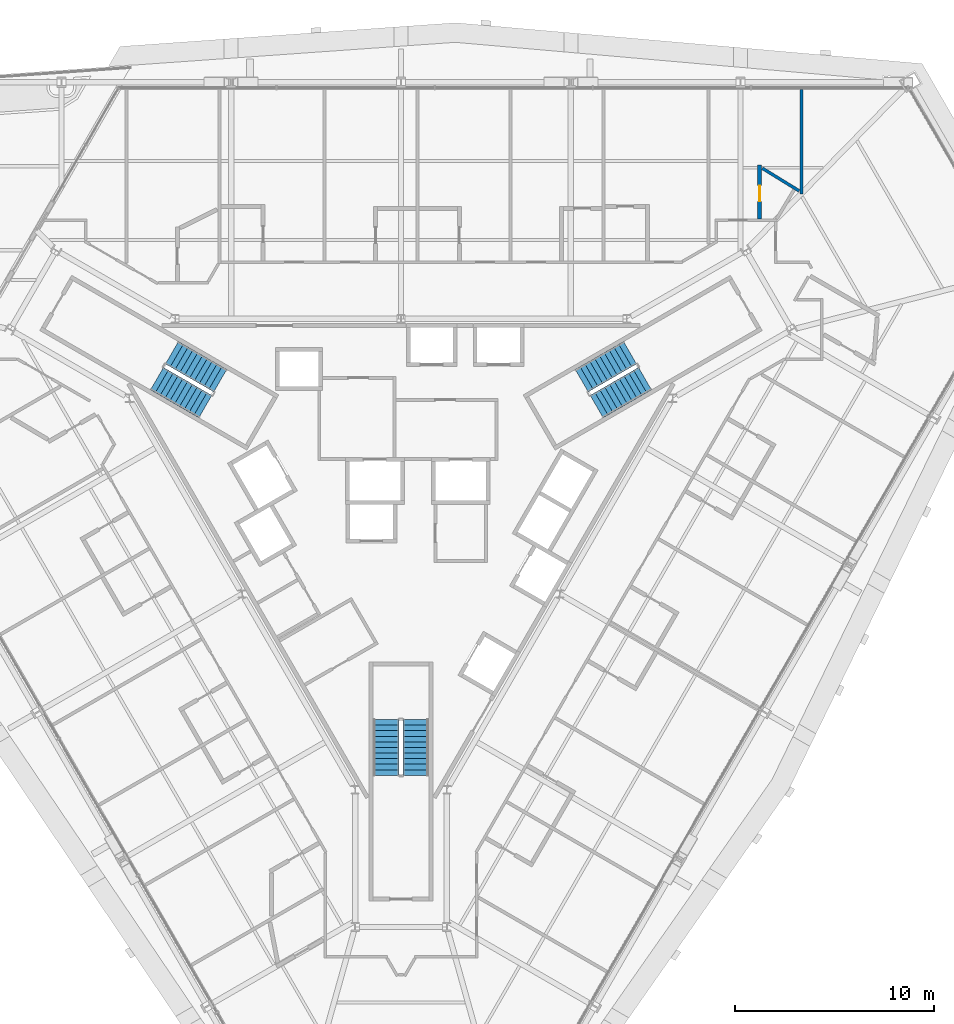
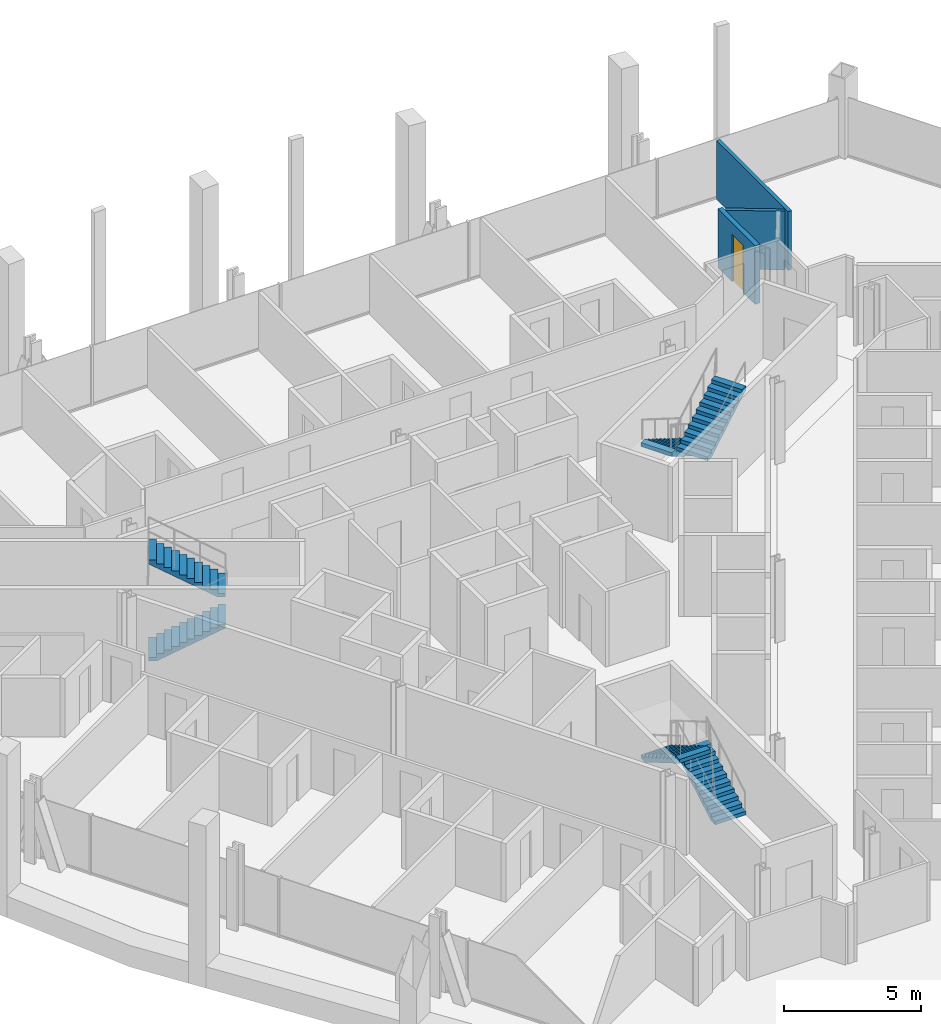
# One storey, part 16 of 19: 6 stair flights, 3 walls, 1 door, 1 opening, 3 elements without a shape of their own.
"""IFC4 building model written with IfcOpenShell, lengths in metres."""

from ifc_helpers import new_model, si_unit, direction, frame, frame_2d, origin, place, context, subcontext, project, spatial, polyline, rectangle, outline, extrude, material, layer, layer_set, type_object, element, fill, aggregate, save


model = new_model("IFC4")

# Units and contexts
model_context = context("Model", 3, precision=1e-05, world=origin(), true_north=direction((0.0, 1.0)))
body_context = subcontext(model_context, "Body", "Model", "MODEL_VIEW")
ifc_project = project(units=[si_unit("LENGTHUNIT", "METRE"), si_unit("AREAUNIT", "SQUARE_METRE"), si_unit("VOLUMEUNIT", "CUBIC_METRE"), si_unit("PLANEANGLEUNIT", "RADIAN"), si_unit("MASSUNIT", "GRAM", prefix="KILO")], contexts=[model_context])

# Site, building, storey
site_placement = place(None, origin())
site = spatial("IfcSite", under=ifc_project, at=site_placement, CompositionType="ELEMENT")
building_placement = place(site_placement, origin())
building = spatial("IfcBuilding", under=site, at=building_placement, Name="Verrane Prism Tower", CompositionType="ELEMENT")
storey_placement = place(building_placement, frame((0.0, 0.0, 58.39990234375)))
storey = spatial("IfcBuildingStorey", under=building, at=storey_placement, Name="L12", CompositionType="ELEMENT", Elevation=58.39990234375)

# Walls
ifc_material_1 = material(Name="Gypsum board partition", Category="other")
ifc_layer_1 = layer(ifc_material_1, 0.14990234375)
ifc_layer_set_1 = layer_set([ifc_layer_1], Name="PW-150 demising wall 1 h")
wall_type_1 = type_object("IfcWallType", Name="PW-150 demising wall 1 h", PredefinedType="PARTITIONING", material=ifc_layer_set_1)
wall_1_placement = place(storey_placement, frame((18.125244140625, 16.753173828125, 0.0), z_axis=(0.0, 0.0, 1.0), x_axis=(0.851893865078, -0.523714466711, 0.0)))
element("IfcWall", 1, at=wall_1_placement, inside=storey, type_object=wall_type_1, Name="Demising wall 084", PredefinedType="PARTITIONING", context=body_context, shape_type="SweptSolid", body=[
    extrude(rectangle(XDim=2.169921875, YDim=0.14990234375, at=frame_2d((1.0849609375, 0.0))), origin(), (0.0, 0.0, 1.0), 2.613037109375),
])
wall_2_placement = place(storey_placement, frame((20.089111328125, 15.470947265625, 0.0), z_axis=(0.0, 0.0, 1.0), x_axis=(0.0, 1.0, 0.0)))
element("IfcWall", 2, at=wall_2_placement, inside=storey, type_object=wall_type_1, Name="Demising wall 092", PredefinedType="PARTITIONING", context=body_context, shape_type="SweptSolid", body=[
    extrude(rectangle(XDim=5.22412109375, YDim=0.14990234375, at=frame_2d((2.612060546875, 0.0))), origin(), (0.0, 0.0, 1.0), 2.613037109375),
])

# Wall, opening, door
ifc_material_2 = material(Name="Gypsum board partition", Category="other")
ifc_layer_2 = layer(ifc_material_2, 0.199951171875)
ifc_layer_set_2 = layer_set([ifc_layer_2], Name="PW-200 plumbing wall")
wall_type_2 = type_object("IfcWallType", Name="PW-200 plumbing wall", PredefinedType="PARTITIONING", material=ifc_layer_set_2)
wall_3_placement = place(storey_placement, frame((17.989013671875, 16.912109375, 0.0), z_axis=(0.0, 0.0, 1.0), x_axis=(0.0, -1.0, 0.0)))
wall_3 = element("IfcWall", 3, at=wall_3_placement, inside=storey, type_object=wall_type_2, Name="Plumbing wall 083", PredefinedType="PARTITIONING", context=body_context, shape_type="SweptSolid", body=[
    extrude(rectangle(XDim=2.712646484375, YDim=0.199951171875, at=frame_2d((1.3564453125, 0.0))), origin(), (0.0, 0.0, 1.0), 2.613037109375),
])
opening_placement = place(wall_3_placement, frame((1.02490234375, 0.0, 0.0)))
opening = element("IfcOpeningElement", 4, at=opening_placement, cuts=wall_3, Name="Opening D12002", PredefinedType="OPENING", context=body_context, shape_type="SweptSolid", body=[
    extrude(rectangle(XDim=0.800048828125, YDim=2.10009765625, at=frame_2d((0.39990234375, 1.050048828125))), frame((0.0, 0.10986328125, 0.0), z_axis=(0.0, -1.0, 0.0), x_axis=(1.0, 0.0, 0.0)), (0.0, 0.0, 1.0), 0.219970703125),
])
ifc_material_3 = material(Name="Timber veneered door leaf", Category="wood")
door_type = type_object("IfcDoorType", Name="DR-800x2100 single leaf bath", OperationType="NOTDEFINED", PredefinedType="DOOR", material=ifc_material_3)
door_placement = place(opening_placement, origin())
door = element("IfcDoor", 5, at=door_placement, inside=storey, type_object=door_type, Name="En-Suite door", OperationType="SINGLE_SWING_RIGHT", OverallHeight=2.10009765625, OverallWidth=0.800048828125, PredefinedType="DOOR", context=body_context, shape_type="SweptSolid", body=[
    extrude(rectangle(XDim=0.800048828125, YDim=2.10009765625, at=frame_2d((0.39990234375, 1.050048828125))), frame((0.0, 0.02490234375, 0.0), z_axis=(0.0, -1.0, 0.0), x_axis=(1.0, 0.0, 0.0)), (0.0, 0.0, 1.0), 0.050048828125),
])
fill(opening, door)

# Stair, stair flights
ifc_material_4 = material(Name="Concrete C40/50", Category="concrete")
stair_type = type_object("IfcStairType", Name="Exit stair 1300 dog-leg precast concrete C40/50", PredefinedType="HALF_TURN_STAIR", material=ifc_material_4)
stair_1_placement = place(storey_placement, origin())
stair_1 = element("IfcStair", 6, at=stair_1_placement, inside=storey, type_object=stair_type, Name="Stair 1 L12", PredefinedType="HALF_TURN_STAIR")
ifc_material_5 = material(Name="Concrete C40/50", Category="concrete")
stair_flight_type = type_object("IfcStairFlightType", Name="Stair flight 1300 precast concrete C40/50", PredefinedType="STRAIGHT", material=ifc_material_5)
stair_flight_1_placement = place(storey_placement, frame((11.489501953125, 7.49951171875, 0.0), z_axis=(0.0, 0.0, 1.0), x_axis=(-0.866025403784, -0.5, 0.0)))
stair_flight_1 = element("IfcStairFlight", 7, at=stair_flight_1_placement, type_object=stair_flight_type, Name="Stair 1 flight 1", NumberOfRisers=11, NumberOfTreads=10, PredefinedType="STRAIGHT", RiserHeight=0.163636364, TreadLength=0.28, context=body_context, shape_type="SweptSolid", body=[
    extrude(outline(polyline([(0.0, 0.0), (0.0, 0.16357421875), (0.280029296875, 0.16357421875), (0.280029296875, 0.327392578125), (0.56005859375, 0.327392578125), (0.56005859375, 0.490966796875), (0.840087890625, 0.490966796875), (0.840087890625, 0.654541015625), (1.1201171875, 0.654541015625), (1.1201171875, 0.818115234375), (1.39990234375, 0.818115234375), (1.39990234375, 0.98193359375), (1.679931640625, 0.98193359375), (1.679931640625, 1.1455078125), (1.9599609375, 1.1455078125), (1.9599609375, 1.30908203125), (2.239990234375, 1.30908203125), (2.239990234375, 1.47265625), (2.52001953125, 1.47265625), (2.52001953125, 1.636474609375), (2.800048828125, 1.636474609375), (2.800048828125, 1.800048828125), (2.800048828125, 1.462646484375), (0.297119140625, 0.0), (0.0, 0.0)])), frame((0.0, 0.64990234375, 0.0), z_axis=(0.0, -1.0, 0.0), x_axis=(1.0, 0.0, 0.0)), (0.0, 0.0, 1.0), 1.300048828125),
])
stair_flight_2_placement = place(storey_placement, frame((9.814697265625, 4.800537109375, 1.800048828125), z_axis=(0.0, 0.0, 1.0), x_axis=(0.866025403784, 0.5, 0.0)))
stair_flight_2 = element("IfcStairFlight", 8, at=stair_flight_2_placement, type_object=stair_flight_type, Name="Stair 1 flight 2", NumberOfRisers=11, NumberOfTreads=10, PredefinedType="STRAIGHT", RiserHeight=0.163636364, TreadLength=0.28, context=body_context, shape_type="SweptSolid", body=[
    extrude(outline(polyline([(0.0, 0.0), (0.0, 0.16357421875), (0.280029296875, 0.16357421875), (0.280029296875, 0.327392578125), (0.56005859375, 0.327392578125), (0.56005859375, 0.490966796875), (0.840087890625, 0.490966796875), (0.840087890625, 0.654541015625), (1.1201171875, 0.654541015625), (1.1201171875, 0.818115234375), (1.39990234375, 0.818115234375), (1.39990234375, 0.98193359375), (1.679931640625, 0.98193359375), (1.679931640625, 1.1455078125), (1.9599609375, 1.1455078125), (1.9599609375, 1.30908203125), (2.239990234375, 1.30908203125), (2.239990234375, 1.47265625), (2.52001953125, 1.47265625), (2.52001953125, 1.636474609375), (2.800048828125, 1.636474609375), (2.800048828125, 1.800048828125), (2.800048828125, 1.462646484375), (0.297119140625, 0.0), (0.0, 0.0)])), frame((0.0, 0.64990234375, 0.0), z_axis=(0.0, -1.0, 0.0), x_axis=(1.0, 0.0, 0.0)), (0.0, 0.0, 1.0), 1.300048828125),
])
aggregate(stair_1, [stair_flight_1, stair_flight_2])

stair_2_placement = place(storey_placement, origin())
stair_2 = element("IfcStair", 9, at=stair_2_placement, inside=storey, type_object=stair_type, Name="Stair 2 L12", PredefinedType="HALF_TURN_STAIR")
stair_flight_3_placement = place(storey_placement, frame((-12.239501953125, 6.200439453125, 0.0), z_axis=(0.0, 0.0, 1.0), x_axis=(0.866025403784, -0.5, 0.0)))
stair_flight_3 = element("IfcStairFlight", 10, at=stair_flight_3_placement, type_object=stair_flight_type, Name="Stair 2 flight 1", NumberOfRisers=11, NumberOfTreads=10, PredefinedType="STRAIGHT", RiserHeight=0.163636364, TreadLength=0.28, context=body_context, shape_type="SweptSolid", body=[
    extrude(outline(polyline([(0.0, 0.0), (0.0, 0.16357421875), (0.280029296875, 0.16357421875), (0.280029296875, 0.327392578125), (0.56005859375, 0.327392578125), (0.56005859375, 0.490966796875), (0.840087890625, 0.490966796875), (0.840087890625, 0.654541015625), (1.1201171875, 0.654541015625), (1.1201171875, 0.818115234375), (1.39990234375, 0.818115234375), (1.39990234375, 0.98193359375), (1.679931640625, 0.98193359375), (1.679931640625, 1.1455078125), (1.9599609375, 1.1455078125), (1.9599609375, 1.30908203125), (2.239990234375, 1.30908203125), (2.239990234375, 1.47265625), (2.52001953125, 1.47265625), (2.52001953125, 1.636474609375), (2.800048828125, 1.636474609375), (2.800048828125, 1.800048828125), (2.800048828125, 1.462646484375), (0.297119140625, 0.0), (0.0, 0.0)])), frame((0.0, 0.64990234375, 0.0), z_axis=(0.0, -1.0, 0.0), x_axis=(1.0, 0.0, 0.0)), (0.0, 0.0, 1.0), 1.300048828125),
])
stair_flight_4_placement = place(storey_placement, frame((-9.064697265625, 6.099609375, 1.800048828125), z_axis=(0.0, 0.0, 1.0), x_axis=(-0.866025403784, 0.5, 0.0)))
stair_flight_4 = element("IfcStairFlight", 11, at=stair_flight_4_placement, type_object=stair_flight_type, Name="Stair 2 flight 2", NumberOfRisers=11, NumberOfTreads=10, PredefinedType="STRAIGHT", RiserHeight=0.163636364, TreadLength=0.28, context=body_context, shape_type="SweptSolid", body=[
    extrude(outline(polyline([(0.0, 0.0), (0.0, 0.16357421875), (0.280029296875, 0.16357421875), (0.280029296875, 0.327392578125), (0.56005859375, 0.327392578125), (0.56005859375, 0.490966796875), (0.840087890625, 0.490966796875), (0.840087890625, 0.654541015625), (1.1201171875, 0.654541015625), (1.1201171875, 0.818115234375), (1.39990234375, 0.818115234375), (1.39990234375, 0.98193359375), (1.679931640625, 0.98193359375), (1.679931640625, 1.1455078125), (1.9599609375, 1.1455078125), (1.9599609375, 1.30908203125), (2.239990234375, 1.30908203125), (2.239990234375, 1.47265625), (2.52001953125, 1.47265625), (2.52001953125, 1.636474609375), (2.800048828125, 1.636474609375), (2.800048828125, 1.800048828125), (2.800048828125, 1.462646484375), (0.297119140625, 0.0), (0.0, 0.0)])), frame((0.0, 0.64990234375, 0.0), z_axis=(0.0, -1.0, 0.0), x_axis=(1.0, 0.0, 0.0)), (0.0, 0.0, 1.0), 1.300048828125),
])
aggregate(stair_2, [stair_flight_3, stair_flight_4])

stair_3_placement = place(storey_placement, origin())
stair_3 = element("IfcStair", 12, at=stair_3_placement, inside=storey, type_object=stair_type, Name="Stair 3 L12", PredefinedType="HALF_TURN_STAIR")
stair_flight_5_placement = place(storey_placement, frame((0.75, -13.699951171875, 0.0), z_axis=(0.0, 0.0, 1.0), x_axis=(0.0, 1.0, 0.0)))
stair_flight_5 = element("IfcStairFlight", 13, at=stair_flight_5_placement, type_object=stair_flight_type, Name="Stair 3 flight 1", NumberOfRisers=11, NumberOfTreads=10, PredefinedType="STRAIGHT", RiserHeight=0.163636364, TreadLength=0.28, context=body_context, shape_type="SweptSolid", body=[
    extrude(outline(polyline([(0.0, 0.0), (0.0, 0.16357421875), (0.280029296875, 0.16357421875), (0.280029296875, 0.327392578125), (0.56005859375, 0.327392578125), (0.56005859375, 0.490966796875), (0.840087890625, 0.490966796875), (0.840087890625, 0.654541015625), (1.1201171875, 0.654541015625), (1.1201171875, 0.818115234375), (1.39990234375, 0.818115234375), (1.39990234375, 0.98193359375), (1.679931640625, 0.98193359375), (1.679931640625, 1.1455078125), (1.9599609375, 1.1455078125), (1.9599609375, 1.30908203125), (2.239990234375, 1.30908203125), (2.239990234375, 1.47265625), (2.52001953125, 1.47265625), (2.52001953125, 1.636474609375), (2.800048828125, 1.636474609375), (2.800048828125, 1.800048828125), (2.800048828125, 1.462646484375), (0.297119140625, 0.0), (0.0, 0.0)])), frame((0.0, 0.64990234375, 0.0), z_axis=(0.0, -1.0, 0.0), x_axis=(1.0, 0.0, 0.0)), (0.0, 0.0, 1.0), 1.300048828125),
])
stair_flight_6_placement = place(storey_placement, frame((-0.75, -10.89990234375, 1.800048828125), z_axis=(0.0, 0.0, 1.0), x_axis=(0.0, -1.0, 0.0)))
stair_flight_6 = element("IfcStairFlight", 14, at=stair_flight_6_placement, type_object=stair_flight_type, Name="Stair 3 flight 2", NumberOfRisers=11, NumberOfTreads=10, PredefinedType="STRAIGHT", RiserHeight=0.163636364, TreadLength=0.28, context=body_context, shape_type="SweptSolid", body=[
    extrude(outline(polyline([(0.0, 0.0), (0.0, 0.16357421875), (0.280029296875, 0.16357421875), (0.280029296875, 0.327392578125), (0.56005859375, 0.327392578125), (0.56005859375, 0.490966796875), (0.840087890625, 0.490966796875), (0.840087890625, 0.654541015625), (1.1201171875, 0.654541015625), (1.1201171875, 0.818115234375), (1.39990234375, 0.818115234375), (1.39990234375, 0.98193359375), (1.679931640625, 0.98193359375), (1.679931640625, 1.1455078125), (1.9599609375, 1.1455078125), (1.9599609375, 1.30908203125), (2.239990234375, 1.30908203125), (2.239990234375, 1.47265625), (2.52001953125, 1.47265625), (2.52001953125, 1.636474609375), (2.800048828125, 1.636474609375), (2.800048828125, 1.800048828125), (2.800048828125, 1.462646484375), (0.297119140625, 0.0), (0.0, 0.0)])), frame((0.0, 0.64990234375, 0.0), z_axis=(0.0, -1.0, 0.0), x_axis=(1.0, 0.0, 0.0)), (0.0, 0.0, 1.0), 1.300048828125),
])
aggregate(stair_3, [stair_flight_5, stair_flight_6])

save(model, "model.ifc")
